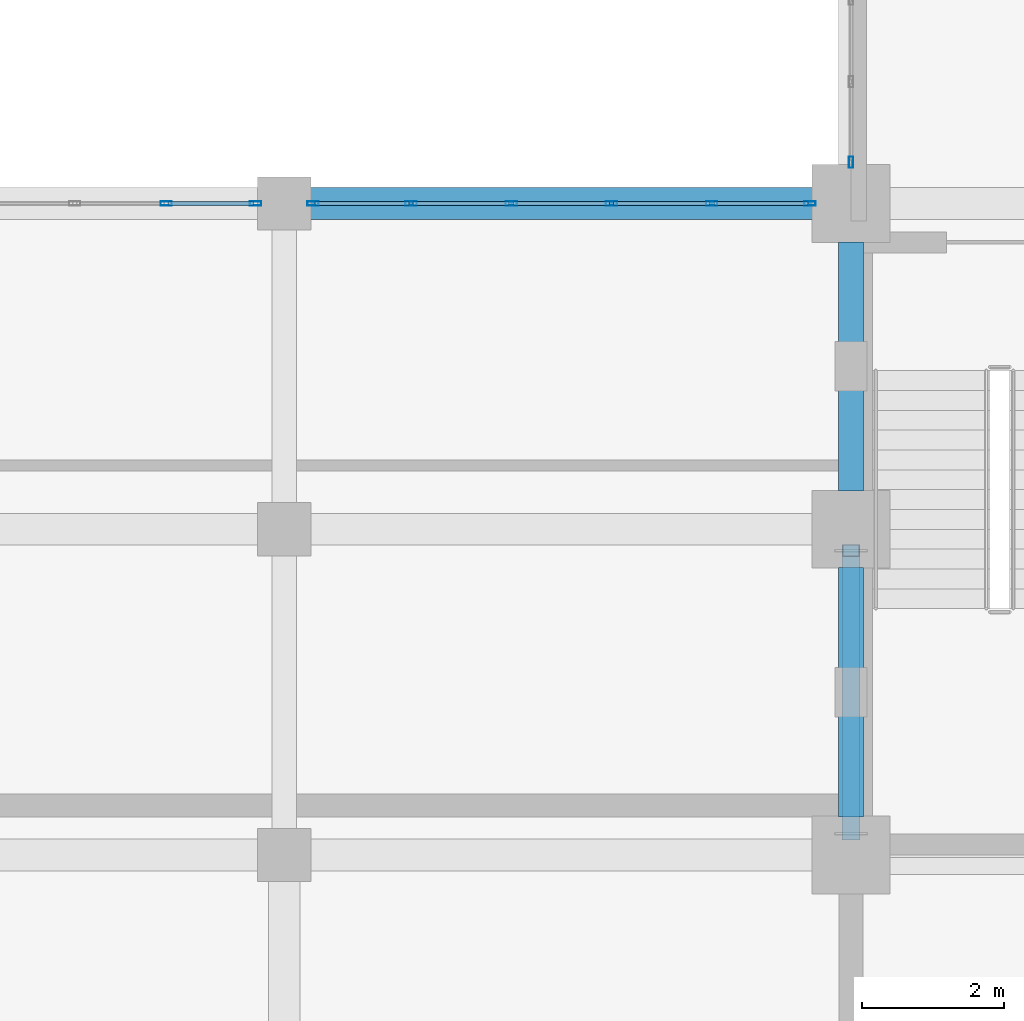
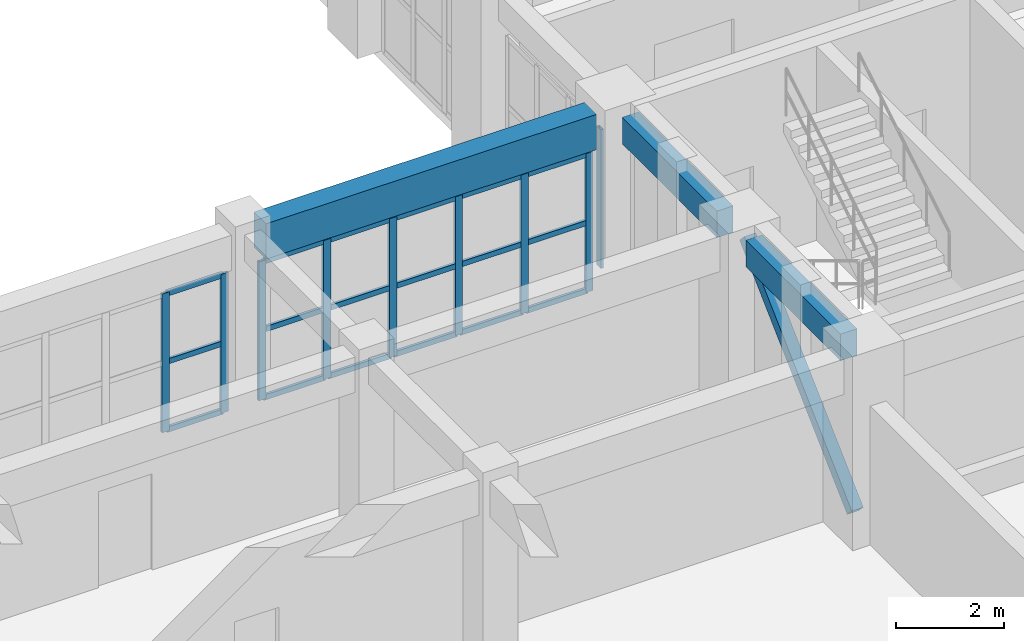
# One storey, part 6 of 90: 28 members, 3 beams, 3 elements without a shape of their own.
"""IFC4 building model written with IfcOpenShell, lengths in metres."""

from ifc_helpers import new_model, si_unit, direction, frame, origin, origin_2d, place, context, subcontext, project, spatial, rectangle, hollow_rectangle, extrude, material, layer, layer_set, material_profile, profile_set, type_object, element, aggregate, save


model = new_model("IFC4")

# Units and contexts
model_context = context("Model", 3, precision=1e-05, world=origin(), true_north=direction((0.0, 1.0)))
body_context = subcontext(model_context, "Body", "Model", "MODEL_VIEW")
ifc_project = project(units=[si_unit("LENGTHUNIT", "METRE"), si_unit("AREAUNIT", "SQUARE_METRE"), si_unit("VOLUMEUNIT", "CUBIC_METRE"), si_unit("PLANEANGLEUNIT", "RADIAN"), si_unit("MASSUNIT", "GRAM", prefix="KILO")], contexts=[model_context])

# Site, building, storey
site_placement = place(None, origin())
site = spatial("IfcSite", under=ifc_project, at=site_placement, CompositionType="ELEMENT")
building_placement = place(site_placement, origin())
building = spatial("IfcBuilding", under=site, at=building_placement, Name="Muzn Square Opera House", CompositionType="ELEMENT")
storey_placement = place(building_placement, frame((0.0, 0.0, 9.800048828125)))
storey = spatial("IfcBuildingStorey", under=building, at=storey_placement, Name="L02", CompositionType="ELEMENT", Elevation=9.800048828125)

# Curtain wall, member
ifc_material_1 = material(Name="Low-E laminated acoustic double glazing", Category="glass")
ifc_layer_1 = layer(ifc_material_1, 0.159912109375, Name="Low-E laminated acoustic double glazing", Category="glass")
ifc_layer_set_1 = layer_set([ifc_layer_1], Name="Low-E laminated acoustic double glazing")
curtain_wall_type_1 = type_object("IfcCurtainWallType", Name="Glazed Curtain Wall WestVaultCourt 3500x3150", PredefinedType="USERDEFINED", material=ifc_layer_set_1)
curtain_wall_1_placement = place(storey_placement, origin())
curtain_wall_1 = element("IfcCurtainWall", 1, at=curtain_wall_1_placement, inside=storey, type_object=curtain_wall_type_1, Name="Glazed Curtain Wall CW-L02-049", ObjectType="GLAZED CURTAIN WALL", PredefinedType="USERDEFINED")
ifc_material_2 = material(Name="Anodised bronze aluminium 6063-T6", Category="metal")
ifc_material_profile_1 = material_profile(ifc_material_2, hollow_rectangle(XDim=0.06005859375, YDim=0.159912109375, WallThickness=0.00390625, at=origin_2d()), Name="ALU 160x60x4", Category="metal")
ifc_profile_set_1 = profile_set([ifc_material_profile_1], Name="Anodised bronze aluminium 6063-T6")
member_type_1 = type_object("IfcMemberType", Name="Curtain Wall Mullion 160x60", PredefinedType="MULLION", material=ifc_profile_set_1)
member_1_placement = place(storey_placement, frame((43.0, 31.780029296875, 0.0), z_axis=(0.0, 0.0, 1.0), x_axis=(-1.0, 0.0, 0.0)))
member_1 = element("IfcMember", 2, at=member_1_placement, type_object=member_type_1, Name="CW-WVC-35x31 mullion 1", PredefinedType="MULLION", context=body_context, shape_type="SweptSolid", body=[
    extrude(hollow_rectangle(XDim=0.06005859375, YDim=0.159912109375, WallThickness=0.00390625, at=origin_2d()), origin(), (0.0, 0.0, 1.0), 3.14990234375),
])
aggregate(curtain_wall_1, [member_1])

# Curtain wall, members
ifc_layer_2 = layer(ifc_material_1, 0.159912109375, Name="Low-E laminated acoustic double glazing", Category="glass")
ifc_layer_set_2 = layer_set([ifc_layer_2], Name="Low-E laminated acoustic double glazing")
curtain_wall_type_2 = type_object("IfcCurtainWallType", Name="Glazed Curtain Wall WestCloisterS 7750x3150", PredefinedType="USERDEFINED", material=ifc_layer_set_2)
curtain_wall_2_placement = place(storey_placement, origin())
curtain_wall_2 = element("IfcCurtainWall", 3, at=curtain_wall_2_placement, inside=storey, type_object=curtain_wall_type_2, Name="Glazed Curtain Wall CW-L02-095", ObjectType="GLAZED CURTAIN WALL", PredefinedType="USERDEFINED")
member_2_placement = place(storey_placement, frame((33.333251953125, 31.199951171875, 0.0), z_axis=(0.0, 0.0, 1.0), x_axis=(0.0, 1.0, 0.0)))
member_2 = element("IfcMember", 4, at=member_2_placement, type_object=member_type_1, Name="CW-WCS-77x31 mullion 6", PredefinedType="MULLION", context=body_context, shape_type="SweptSolid", body=[
    extrude(hollow_rectangle(XDim=0.06005859375, YDim=0.159912109375, WallThickness=0.00390625, at=origin_2d()), origin(), (0.0, 0.0, 1.0), 3.14990234375),
])
member_3_placement = place(storey_placement, frame((34.594970703125, 31.199951171875, 0.0), z_axis=(0.0, 0.0, 1.0), x_axis=(0.0, 1.0, 0.0)))
member_3 = element("IfcMember", 5, at=member_3_placement, type_object=member_type_1, Name="CW-WCS-77x31 mullion 7", PredefinedType="MULLION", context=body_context, shape_type="SweptSolid", body=[
    extrude(hollow_rectangle(XDim=0.06005859375, YDim=0.159912109375, WallThickness=0.00390625, at=origin_2d()), origin(), (0.0, 0.0, 1.0), 3.14990234375),
])

ifc_layer_3 = layer(ifc_material_1, 0.159912109375, Name="Low-E laminated acoustic double glazing", Category="glass")
ifc_layer_set_3 = layer_set([ifc_layer_3], Name="Low-E laminated acoustic double glazing")
curtain_wall_type_3 = type_object("IfcCurtainWallType", Name="Glazed Curtain Wall WestCloisterS 7075x3150", PredefinedType="USERDEFINED", material=ifc_layer_set_3)
curtain_wall_3_placement = place(storey_placement, origin())
curtain_wall_3 = element("IfcCurtainWall", 6, at=curtain_wall_3_placement, inside=storey, type_object=curtain_wall_type_3, Name="Glazed Curtain Wall CW-L02-097", ObjectType="GLAZED CURTAIN WALL", PredefinedType="USERDEFINED")
member_4_placement = place(storey_placement, frame((35.405029296875, 31.199951171875, 0.0), z_axis=(0.0, 0.0, 1.0), x_axis=(0.0, 1.0, 0.0)))
member_4 = element("IfcMember", 7, at=member_4_placement, type_object=member_type_1, Name="CW-WCS-70x31 mullion 1", PredefinedType="MULLION", context=body_context, shape_type="SweptSolid", body=[
    extrude(hollow_rectangle(XDim=0.06005859375, YDim=0.159912109375, WallThickness=0.00390625, at=origin_2d()), origin(), (0.0, 0.0, 1.0), 3.14990234375),
])
member_5_placement = place(storey_placement, frame((36.7900390625, 31.199951171875, 0.0), z_axis=(0.0, 0.0, 1.0), x_axis=(0.0, 1.0, 0.0)))
member_5 = element("IfcMember", 8, at=member_5_placement, type_object=member_type_1, Name="CW-WCS-70x31 mullion 2", PredefinedType="MULLION", context=body_context, shape_type="SweptSolid", body=[
    extrude(hollow_rectangle(XDim=0.06005859375, YDim=0.159912109375, WallThickness=0.00390625, at=origin_2d()), origin(), (0.0, 0.0, 1.0), 3.14990234375),
])
member_6_placement = place(storey_placement, frame((38.205078125, 31.199951171875, 0.0), z_axis=(0.0, 0.0, 1.0), x_axis=(0.0, 1.0, 0.0)))
member_6 = element("IfcMember", 9, at=member_6_placement, type_object=member_type_1, Name="CW-WCS-70x31 mullion 3", PredefinedType="MULLION", context=body_context, shape_type="SweptSolid", body=[
    extrude(hollow_rectangle(XDim=0.06005859375, YDim=0.159912109375, WallThickness=0.00390625, at=origin_2d()), origin(), (0.0, 0.0, 1.0), 3.14990234375),
])
member_7_placement = place(storey_placement, frame((39.6201171875, 31.199951171875, 0.0), z_axis=(0.0, 0.0, 1.0), x_axis=(0.0, 1.0, 0.0)))
member_7 = element("IfcMember", 10, at=member_7_placement, type_object=member_type_1, Name="CW-WCS-70x31 mullion 4", PredefinedType="MULLION", context=body_context, shape_type="SweptSolid", body=[
    extrude(hollow_rectangle(XDim=0.06005859375, YDim=0.159912109375, WallThickness=0.00390625, at=origin_2d()), origin(), (0.0, 0.0, 1.0), 3.14990234375),
])
member_8_placement = place(storey_placement, frame((41.034912109375, 31.199951171875, 0.0), z_axis=(0.0, 0.0, 1.0), x_axis=(0.0, 1.0, 0.0)))
member_8 = element("IfcMember", 11, at=member_8_placement, type_object=member_type_1, Name="CW-WCS-70x31 mullion 5", PredefinedType="MULLION", context=body_context, shape_type="SweptSolid", body=[
    extrude(hollow_rectangle(XDim=0.06005859375, YDim=0.159912109375, WallThickness=0.00390625, at=origin_2d()), origin(), (0.0, 0.0, 1.0), 3.14990234375),
])
member_9_placement = place(storey_placement, frame((42.419921875, 31.199951171875, 0.0), z_axis=(0.0, 0.0, 1.0), x_axis=(0.0, 1.0, 0.0)))
member_9 = element("IfcMember", 12, at=member_9_placement, type_object=member_type_1, Name="CW-WCS-70x31 mullion 6", PredefinedType="MULLION", context=body_context, shape_type="SweptSolid", body=[
    extrude(hollow_rectangle(XDim=0.06005859375, YDim=0.159912109375, WallThickness=0.00390625, at=origin_2d()), origin(), (0.0, 0.0, 1.0), 3.14990234375),
])

# Member
ifc_material_profile_2 = material_profile(ifc_material_2, hollow_rectangle(XDim=0.06005859375, YDim=0.1201171875, WallThickness=0.00390625, at=origin_2d()), Name="ALU 120x60x4", Category="metal")
ifc_profile_set_2 = profile_set([ifc_material_profile_2], Name="Anodised bronze aluminium 6063-T6")
member_type_2 = type_object("IfcMemberType", Name="Curtain Wall Transom 120x60", PredefinedType="USERDEFINED", material=ifc_profile_set_2)
member_10_placement = place(storey_placement, frame((33.36328125, 31.199951171875, 0.030029296875), z_axis=(1.0, 0.0, 0.0), x_axis=(0.0, 1.0, 0.0)))
member_10 = element("IfcMember", 13, at=member_10_placement, type_object=member_type_2, Name="CW-WCS-77x31 transom 6.1", ObjectType="TRANSOM", PredefinedType="USERDEFINED", context=body_context, shape_type="SweptSolid", body=[
    extrude(hollow_rectangle(XDim=0.06005859375, YDim=0.1201171875, WallThickness=0.00390625, at=origin_2d()), origin(), (0.0, 0.0, 1.0), 1.20166015625),
])

member_11_placement = place(storey_placement, frame((33.36328125, 31.199951171875, 1.574951171875), z_axis=(1.0, 0.0, 0.0), x_axis=(0.0, 1.0, 0.0)))
member_11 = element("IfcMember", 14, at=member_11_placement, type_object=member_type_2, Name="CW-WCS-77x31 transom 6.2", ObjectType="TRANSOM", PredefinedType="USERDEFINED", context=body_context, shape_type="SweptSolid", body=[
    extrude(hollow_rectangle(XDim=0.06005859375, YDim=0.1201171875, WallThickness=0.00390625, at=origin_2d()), origin(), (0.0, 0.0, 1.0), 1.20166015625),
])

member_12_placement = place(storey_placement, frame((33.36328125, 31.199951171875, 3.119873046875), z_axis=(1.0, 0.0, 0.0), x_axis=(0.0, 1.0, 0.0)))
member_12 = element("IfcMember", 15, at=member_12_placement, type_object=member_type_2, Name="CW-WCS-77x31 transom 6.3", ObjectType="TRANSOM", PredefinedType="USERDEFINED", context=body_context, shape_type="SweptSolid", body=[
    extrude(hollow_rectangle(XDim=0.06005859375, YDim=0.1201171875, WallThickness=0.00390625, at=origin_2d()), origin(), (0.0, 0.0, 1.0), 1.20166015625),
])

aggregate(curtain_wall_2, [member_2, member_3, member_10, member_11, member_12])

member_13_placement = place(storey_placement, frame((35.43505859375, 31.199951171875, 0.030029296875), z_axis=(1.0, 0.0, 0.0), x_axis=(0.0, 1.0, 0.0)))
member_13 = element("IfcMember", 16, at=member_13_placement, type_object=member_type_2, Name="CW-WCS-70x31 transom 1.1", ObjectType="TRANSOM", PredefinedType="USERDEFINED", context=body_context, shape_type="SweptSolid", body=[
    extrude(hollow_rectangle(XDim=0.06005859375, YDim=0.1201171875, WallThickness=0.00390625, at=origin_2d()), origin(), (0.0, 0.0, 1.0), 1.324951171875),
])

member_14_placement = place(storey_placement, frame((35.43505859375, 31.199951171875, 1.574951171875), z_axis=(1.0, 0.0, 0.0), x_axis=(0.0, 1.0, 0.0)))
member_14 = element("IfcMember", 17, at=member_14_placement, type_object=member_type_2, Name="CW-WCS-70x31 transom 1.2", ObjectType="TRANSOM", PredefinedType="USERDEFINED", context=body_context, shape_type="SweptSolid", body=[
    extrude(hollow_rectangle(XDim=0.06005859375, YDim=0.1201171875, WallThickness=0.00390625, at=origin_2d()), origin(), (0.0, 0.0, 1.0), 1.324951171875),
])

member_15_placement = place(storey_placement, frame((35.43505859375, 31.199951171875, 3.119873046875), z_axis=(1.0, 0.0, 0.0), x_axis=(0.0, 1.0, 0.0)))
member_15 = element("IfcMember", 18, at=member_15_placement, type_object=member_type_2, Name="CW-WCS-70x31 transom 1.3", ObjectType="TRANSOM", PredefinedType="USERDEFINED", context=body_context, shape_type="SweptSolid", body=[
    extrude(hollow_rectangle(XDim=0.06005859375, YDim=0.1201171875, WallThickness=0.00390625, at=origin_2d()), origin(), (0.0, 0.0, 1.0), 1.324951171875),
])

member_16_placement = place(storey_placement, frame((36.820068359375, 31.199951171875, 0.030029296875), z_axis=(1.0, 0.0, 0.0), x_axis=(0.0, 1.0, 0.0)))
member_16 = element("IfcMember", 19, at=member_16_placement, type_object=member_type_2, Name="CW-WCS-70x31 transom 2.1", ObjectType="TRANSOM", PredefinedType="USERDEFINED", context=body_context, shape_type="SweptSolid", body=[
    extrude(hollow_rectangle(XDim=0.06005859375, YDim=0.1201171875, WallThickness=0.00390625, at=origin_2d()), origin(), (0.0, 0.0, 1.0), 1.35498046875),
])

member_17_placement = place(storey_placement, frame((36.820068359375, 31.199951171875, 1.574951171875), z_axis=(1.0, 0.0, 0.0), x_axis=(0.0, 1.0, 0.0)))
member_17 = element("IfcMember", 20, at=member_17_placement, type_object=member_type_2, Name="CW-WCS-70x31 transom 2.2", ObjectType="TRANSOM", PredefinedType="USERDEFINED", context=body_context, shape_type="SweptSolid", body=[
    extrude(hollow_rectangle(XDim=0.06005859375, YDim=0.1201171875, WallThickness=0.00390625, at=origin_2d()), origin(), (0.0, 0.0, 1.0), 1.35498046875),
])

member_18_placement = place(storey_placement, frame((36.820068359375, 31.199951171875, 3.119873046875), z_axis=(1.0, 0.0, 0.0), x_axis=(0.0, 1.0, 0.0)))
member_18 = element("IfcMember", 21, at=member_18_placement, type_object=member_type_2, Name="CW-WCS-70x31 transom 2.3", ObjectType="TRANSOM", PredefinedType="USERDEFINED", context=body_context, shape_type="SweptSolid", body=[
    extrude(hollow_rectangle(XDim=0.06005859375, YDim=0.1201171875, WallThickness=0.00390625, at=origin_2d()), origin(), (0.0, 0.0, 1.0), 1.35498046875),
])

member_19_placement = place(storey_placement, frame((38.235107421875, 31.199951171875, 0.030029296875), z_axis=(1.0, 0.0, 0.0), x_axis=(0.0, 1.0, 0.0)))
member_19 = element("IfcMember", 22, at=member_19_placement, type_object=member_type_2, Name="CW-WCS-70x31 transom 3.1", ObjectType="TRANSOM", PredefinedType="USERDEFINED", context=body_context, shape_type="SweptSolid", body=[
    extrude(hollow_rectangle(XDim=0.06005859375, YDim=0.1201171875, WallThickness=0.00390625, at=origin_2d()), origin(), (0.0, 0.0, 1.0), 1.35498046875),
])

member_20_placement = place(storey_placement, frame((38.235107421875, 31.199951171875, 1.574951171875), z_axis=(1.0, 0.0, 0.0), x_axis=(0.0, 1.0, 0.0)))
member_20 = element("IfcMember", 23, at=member_20_placement, type_object=member_type_2, Name="CW-WCS-70x31 transom 3.2", ObjectType="TRANSOM", PredefinedType="USERDEFINED", context=body_context, shape_type="SweptSolid", body=[
    extrude(hollow_rectangle(XDim=0.06005859375, YDim=0.1201171875, WallThickness=0.00390625, at=origin_2d()), origin(), (0.0, 0.0, 1.0), 1.35498046875),
])

member_21_placement = place(storey_placement, frame((38.235107421875, 31.199951171875, 3.119873046875), z_axis=(1.0, 0.0, 0.0), x_axis=(0.0, 1.0, 0.0)))
member_21 = element("IfcMember", 24, at=member_21_placement, type_object=member_type_2, Name="CW-WCS-70x31 transom 3.3", ObjectType="TRANSOM", PredefinedType="USERDEFINED", context=body_context, shape_type="SweptSolid", body=[
    extrude(hollow_rectangle(XDim=0.06005859375, YDim=0.1201171875, WallThickness=0.00390625, at=origin_2d()), origin(), (0.0, 0.0, 1.0), 1.35498046875),
])

member_22_placement = place(storey_placement, frame((39.64990234375, 31.199951171875, 0.030029296875), z_axis=(1.0, 0.0, 0.0), x_axis=(0.0, 1.0, 0.0)))
member_22 = element("IfcMember", 25, at=member_22_placement, type_object=member_type_2, Name="CW-WCS-70x31 transom 4.1", ObjectType="TRANSOM", PredefinedType="USERDEFINED", context=body_context, shape_type="SweptSolid", body=[
    extrude(hollow_rectangle(XDim=0.06005859375, YDim=0.1201171875, WallThickness=0.00390625, at=origin_2d()), origin(), (0.0, 0.0, 1.0), 1.35498046875),
])

member_23_placement = place(storey_placement, frame((39.64990234375, 31.199951171875, 1.574951171875), z_axis=(1.0, 0.0, 0.0), x_axis=(0.0, 1.0, 0.0)))
member_23 = element("IfcMember", 26, at=member_23_placement, type_object=member_type_2, Name="CW-WCS-70x31 transom 4.2", ObjectType="TRANSOM", PredefinedType="USERDEFINED", context=body_context, shape_type="SweptSolid", body=[
    extrude(hollow_rectangle(XDim=0.06005859375, YDim=0.1201171875, WallThickness=0.00390625, at=origin_2d()), origin(), (0.0, 0.0, 1.0), 1.35498046875),
])

member_24_placement = place(storey_placement, frame((39.64990234375, 31.199951171875, 3.119873046875), z_axis=(1.0, 0.0, 0.0), x_axis=(0.0, 1.0, 0.0)))
member_24 = element("IfcMember", 27, at=member_24_placement, type_object=member_type_2, Name="CW-WCS-70x31 transom 4.3", ObjectType="TRANSOM", PredefinedType="USERDEFINED", context=body_context, shape_type="SweptSolid", body=[
    extrude(hollow_rectangle(XDim=0.06005859375, YDim=0.1201171875, WallThickness=0.00390625, at=origin_2d()), origin(), (0.0, 0.0, 1.0), 1.35498046875),
])

member_25_placement = place(storey_placement, frame((41.06494140625, 31.199951171875, 0.030029296875), z_axis=(1.0, 0.0, 0.0), x_axis=(0.0, 1.0, 0.0)))
member_25 = element("IfcMember", 28, at=member_25_placement, type_object=member_type_2, Name="CW-WCS-70x31 transom 5.1", ObjectType="TRANSOM", PredefinedType="USERDEFINED", context=body_context, shape_type="SweptSolid", body=[
    extrude(hollow_rectangle(XDim=0.06005859375, YDim=0.1201171875, WallThickness=0.00390625, at=origin_2d()), origin(), (0.0, 0.0, 1.0), 1.324951171875),
])

member_26_placement = place(storey_placement, frame((41.06494140625, 31.199951171875, 1.574951171875), z_axis=(1.0, 0.0, 0.0), x_axis=(0.0, 1.0, 0.0)))
member_26 = element("IfcMember", 29, at=member_26_placement, type_object=member_type_2, Name="CW-WCS-70x31 transom 5.2", ObjectType="TRANSOM", PredefinedType="USERDEFINED", context=body_context, shape_type="SweptSolid", body=[
    extrude(hollow_rectangle(XDim=0.06005859375, YDim=0.1201171875, WallThickness=0.00390625, at=origin_2d()), origin(), (0.0, 0.0, 1.0), 1.324951171875),
])

member_27_placement = place(storey_placement, frame((41.06494140625, 31.199951171875, 3.119873046875), z_axis=(1.0, 0.0, 0.0), x_axis=(0.0, 1.0, 0.0)))
member_27 = element("IfcMember", 30, at=member_27_placement, type_object=member_type_2, Name="CW-WCS-70x31 transom 5.3", ObjectType="TRANSOM", PredefinedType="USERDEFINED", context=body_context, shape_type="SweptSolid", body=[
    extrude(hollow_rectangle(XDim=0.06005859375, YDim=0.1201171875, WallThickness=0.00390625, at=origin_2d()), origin(), (0.0, 0.0, 1.0), 1.324951171875),
])

aggregate(curtain_wall_3, [member_4, member_5, member_6, member_7, member_8, member_9, member_13, member_14, member_15, member_16, member_17, member_18, member_19, member_20, member_21, member_22, member_23, member_24, member_25, member_26, member_27])

# Beams
ifc_material_3 = material(Name="Concrete C40/50", Category="concrete")
ifc_material_profile_3 = material_profile(ifc_material_3, rectangle(XDim=0.35009765625, YDim=0.60009765625, at=origin_2d()), Name="RCB 350x600", Category="concrete")
ifc_profile_set_3 = profile_set([ifc_material_profile_3], Name="Concrete C40/50")
beam_type_1 = type_object("IfcBeamType", Name="Primary Girder 350x600", PredefinedType="BEAM", material=ifc_profile_set_3)
beam_1_placement = place(storey_placement, frame((43.0, 22.5419921875, 3.820068359375), z_axis=(0.0, 1.0, 0.0), x_axis=(-1.0, 0.0, 0.0)))
element("IfcBeam", 31, at=beam_1_placement, inside=storey, type_object=beam_type_1, Name="Primary Girder BM-L02-BM-PG600-430_225_430_261-2153", PredefinedType="BEAM", context=body_context, shape_type="SweptSolid", body=[
    extrude(rectangle(XDim=0.35009765625, YDim=0.60009765625, at=origin_2d()), origin(), (0.0, 0.0, 1.0), 3.51611328125),
])
beam_2_placement = place(storey_placement, frame((43.0, 27.14208984375, 3.820068359375), z_axis=(0.0, 1.0, 0.0), x_axis=(-1.0, 0.0, 0.0)))
element("IfcBeam", 32, at=beam_2_placement, inside=storey, type_object=beam_type_1, Name="Primary Girder BM-L02-BM-PG600-430_271_430_307-2154", PredefinedType="BEAM", context=body_context, shape_type="SweptSolid", body=[
    extrude(rectangle(XDim=0.35009765625, YDim=0.60009765625, at=origin_2d()), origin(), (0.0, 0.0, 1.0), 3.515869140625),
])
ifc_material_profile_4 = material_profile(ifc_material_3, rectangle(XDim=0.449951171875, YDim=0.800048828125, at=origin_2d()), Name="RCB 450x800", Category="concrete")
ifc_profile_set_4 = profile_set([ifc_material_profile_4], Name="Concrete C40/50")
beam_type_2 = type_object("IfcBeamType", Name="Primary Girder 450x800", PredefinedType="BEAM", material=ifc_profile_set_4)
beam_3_placement = place(storey_placement, frame((35.366943359375, 31.199951171875, 3.719970703125), z_axis=(1.0, 0.0, 0.0), x_axis=(0.0, 1.0, 0.0)))
element("IfcBeam", 33, at=beam_3_placement, inside=storey, type_object=beam_type_2, Name="Primary Girder BM-L02-BM-PG800-354_312_425_312-1983", PredefinedType="BEAM", context=body_context, shape_type="SweptSolid", body=[
    extrude(rectangle(XDim=0.449951171875, YDim=0.800048828125, at=origin_2d()), origin(), (0.0, 0.0, 1.0), 7.091064453125),
])

# Member
ifc_material_4 = material(Name="Steel S355", Category="steel")
ifc_material_profile_5 = material_profile(ifc_material_4, hollow_rectangle(XDim=0.25, YDim=0.25, WallThickness=0.012451171875, at=origin_2d()), Name="SHS 250x250x12.5", Category="steel")
ifc_profile_set_5 = profile_set([ifc_material_profile_5], Name="Steel S355")
member_type_3 = type_object("IfcMemberType", Name="Truss Web Brace SHS250", PredefinedType="BRACE", material=ifc_profile_set_5)
member_28_placement = place(storey_placement, frame((43.0, 22.300048828125, 0.199951171875), z_axis=(0.0, 0.724995014376, 0.688754113694), x_axis=(-1.0, 0.0, 0.0)))
element("IfcMember", 34, at=member_28_placement, inside=storey, type_object=member_type_3, Name="Lateral Frame Brace SBRC-08", PredefinedType="BRACE", context=body_context, shape_type="SweptSolid", body=[
    extrude(hollow_rectangle(XDim=0.25, YDim=0.25, WallThickness=0.012451171875, at=origin_2d()), origin(), (0.0, 0.0, 1.0), 5.517333984375),
])

save(model, "model.ifc")
